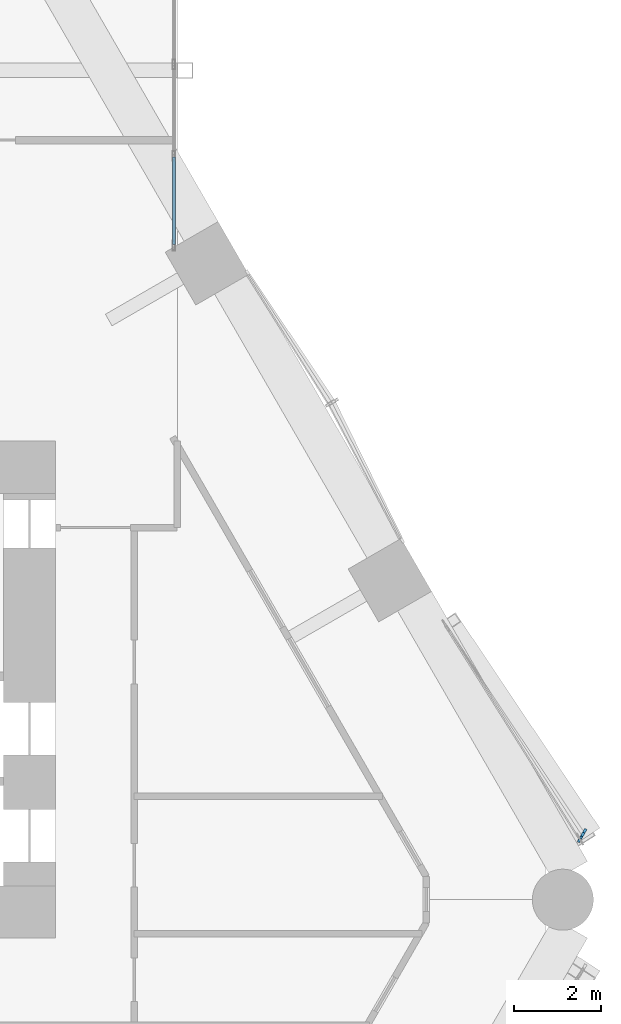
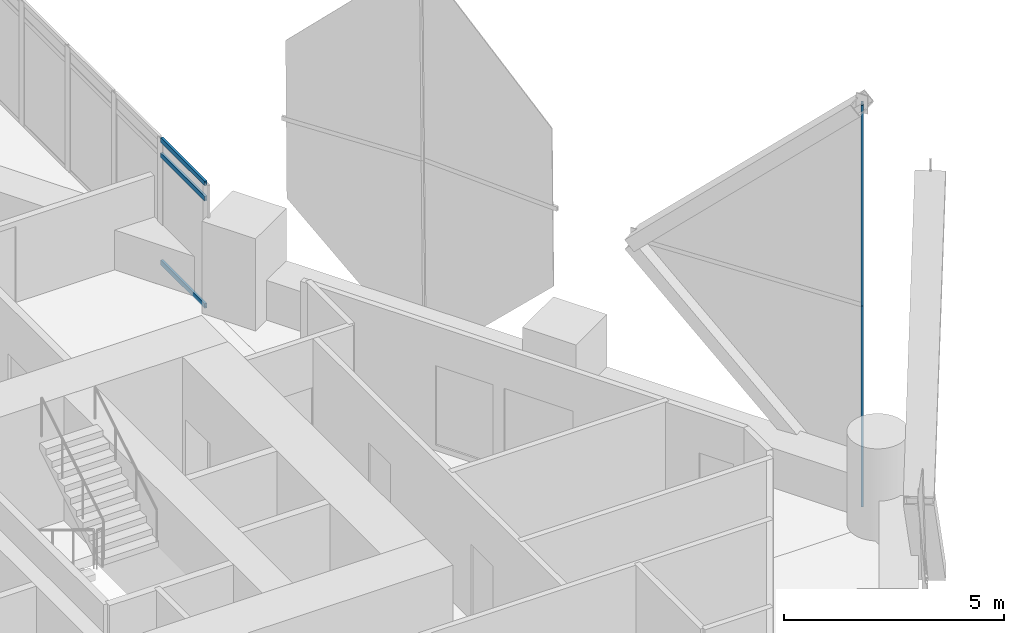
# One storey, part 21 of 35: 5 members, 2 elements without a shape of their own.
"""IFC4 building model written with IfcOpenShell, lengths in metres."""

import ifcopenshell
import ifcopenshell.guid

model = None  # the IFC model being written
_history = None  # IfcOwnerHistory: only IFC2X3 demands one
_inside = {}  # id of a spatial element -> (the spatial element, [elements in it])
_under = {}  # id of a project, library or spatial element -> (it, [spatial elements below it])
_declared = {}  # id of a project -> (the project, [libraries it declares])
_typed = {}  # id of a type object -> (the type object, [elements of that type])
_made_of = {}  # id of a material, layer set ... -> (it, [elements and type objects made of it])


def new_model(schema):
    """Start an empty IFC model of exactly this schema.

    Asked for "IFC4X3", IfcOpenShell would pick the latest addendum, in which some entities
    have other attributes; the version numbers below select the first issue.
    IFC2X3 requires an IfcOwnerHistory on every rooted entity: one is made here for all.
    """
    global model, _history
    if schema == "IFC4X3":
        model = ifcopenshell.file(schema_version=(4, 3, 0, 0))
    else:
        model = ifcopenshell.file(schema=schema)
    _inside.clear()
    _under.clear()
    _declared.clear()
    _typed.clear()
    _made_of.clear()
    _history = None
    if model.schema == "IFC2X3":
        org = make("IfcOrganization", Name="unknown")
        user = make(
            "IfcPersonAndOrganization",
            ThePerson=make("IfcPerson", FamilyName="unknown"),
            TheOrganization=org,
        )
        app = make(
            "IfcApplication",
            ApplicationDeveloper=org,
            Version="unknown",
            ApplicationFullName="unknown",
            ApplicationIdentifier="unknown",
        )
        _history = make(
            "IfcOwnerHistory",
            OwningUser=user,
            OwningApplication=app,
            ChangeAction="ADDED",
            CreationDate=0,
        )
    return model


def make(cls, **values):
    """One entity of the class cls with the attributes given. An attribute that is None is left unset."""
    return model.create_entity(
        cls, **{name: value for name, value in values.items() if value is not None}
    )


def rooted(cls, **values):
    """An entity with a GlobalId (a new one), such as an element, a storey or a relation."""
    return make(cls, GlobalId=ifcopenshell.guid.new(), OwnerHistory=_history, **values)


def si_unit(unit_type, name, prefix=None):
    """IfcSIUnit, for example si_unit("LENGTHUNIT", "METRE", prefix="MILLI")."""
    return make("IfcSIUnit", UnitType=unit_type, Prefix=prefix, Name=name)


def assignment(units):
    """IfcUnitAssignment: the units of a project."""
    return None if units is None else make("IfcUnitAssignment", Units=units)


def point(xyz):
    """IfcCartesianPoint."""
    return None if xyz is None else make("IfcCartesianPoint", Coordinates=xyz)


def direction(xyz):
    """IfcDirection."""
    return None if xyz is None else make("IfcDirection", DirectionRatios=xyz)


def frame(location, z_axis=None, x_axis=None):
    """IfcAxis2Placement3D, a coordinate frame: its origin and axes. An axis left out is left unset."""
    return make(
        "IfcAxis2Placement3D",
        Location=point(location),
        Axis=direction(z_axis),
        RefDirection=direction(x_axis),
    )


def frame_2d(location, x_axis=None):
    """IfcAxis2Placement2D, a coordinate frame in the plane: its origin and x axis."""
    return make(
        "IfcAxis2Placement2D", Location=point(location), RefDirection=direction(x_axis)
    )


def origin():
    """The frame at (0, 0, 0) with its axes left unset."""
    return frame((0.0, 0.0, 0.0))


def origin_2d():
    """The frame at (0, 0) in the plane with its x axis left unset."""
    return frame_2d((0.0, 0.0))


def place(relative_to, where):
    """IfcLocalPlacement: puts the frame where relative to a parent placement (None: the world)."""
    return make(
        "IfcLocalPlacement", PlacementRelTo=relative_to, RelativePlacement=where
    )


def context(
    kind, dimensions, precision=None, world=None, true_north=None, identifier=None
):
    """IfcGeometricRepresentationContext, for example the 3D "Model" context."""
    return make(
        "IfcGeometricRepresentationContext",
        ContextIdentifier=identifier,
        ContextType=kind,
        CoordinateSpaceDimension=dimensions,
        Precision=precision,
        WorldCoordinateSystem=world,
        TrueNorth=true_north,
    )


def subcontext(parent, identifier, kind, view, scale=None):
    """IfcGeometricRepresentationSubContext, for example "Body" below "Model"."""
    return make(
        "IfcGeometricRepresentationSubContext",
        ContextIdentifier=identifier,
        ContextType=kind,
        ParentContext=parent,
        TargetScale=scale,
        TargetView=view,
    )


def project(units=None, contexts=None):
    """IfcProject with its units and contexts."""
    return rooted(
        "IfcProject",
        Name="project",
        RepresentationContexts=contexts,
        UnitsInContext=assignment(units),
    )


def spatial(cls, under=None, at=None, **own):
    """A site, building, storey or space (cls), placed at a placement, below another one or the project."""
    s = rooted(cls, ObjectPlacement=at, **own)
    if under is not None:
        _under.setdefault(under.id(), (under, []))[1].append(s)
    return s


def profile(cls, at=None, kind="AREA", **sizes):
    """A parametric profile (cls). Its sizes go by their IFC names, for example OverallWidth=200.0."""
    return make(cls, ProfileType=kind, Position=at, **sizes)


def hollow_rectangle(**sizes):
    """IfcRectangleHollowProfileDef."""
    return profile("IfcRectangleHollowProfileDef", **sizes)


def extrude(swept, where, along, depth):
    """IfcExtrudedAreaSolid: the profile swept, set in the frame where, extruded along a direction by depth."""
    return make(
        "IfcExtrudedAreaSolid",
        SweptArea=swept,
        Position=where,
        ExtrudedDirection=direction(along),
        Depth=depth,
    )


def shape(context_of_items, identifier, shape_type, items):
    """IfcShapeRepresentation: the items that make up one representation, for example the "Body"."""
    return make(
        "IfcShapeRepresentation",
        ContextOfItems=context_of_items,
        RepresentationIdentifier=identifier,
        RepresentationType=shape_type,
        Items=items,
    )


def material(Name=None, Category=None):
    """IfcMaterial."""
    return make("IfcMaterial", Name=Name, Category=Category)


def material_profile(
    of_material, cross_section, Name=None, Category=None, Priority=None
):
    """IfcMaterialProfile: a cross section and its material."""
    return make(
        "IfcMaterialProfile",
        Name=Name,
        Material=of_material,
        Profile=cross_section,
        Priority=Priority,
        Category=Category,
    )


def profile_set(profiles, Name=None, composite=None):
    """IfcMaterialProfileSet."""
    return make(
        "IfcMaterialProfileSet",
        Name=Name,
        MaterialProfiles=profiles,
        CompositeProfile=composite,
    )


def made_of(thing, what):
    """Note that an element or type object is made of a material, layer set ...; save() writes the relation."""
    if what is not None:
        _made_of.setdefault(what.id(), (what, []))[1].append(thing)
    return thing


def type_object(cls, material=None, **own):
    """A type object (cls), such as IfcWallType, which elements share."""
    return made_of(rooted(cls, **own), material)


def element(
    cls,
    number,
    at=None,
    inside=None,
    cuts=None,
    type_object=None,
    material=None,
    context=None,
    identifier="Body",
    shape_type=None,
    held_by="IfcProductDefinitionShape",
    body=None,
    shapes=None,
    **own,
):
    """One element of the class cls, such as IfcWall. Its Tag is "e" and its number.

    at: its placement. inside: the storey or other place that contains it. cuts: it is an
    opening in that element (IfcRelVoidsElement). A single representation is given by context,
    identifier, shape_type and body (its items); several are given by shapes. held_by: the class
    of the entity that holds the representations. save() writes the other relations.
    """
    e = rooted(cls, Tag="e%d" % number, ObjectPlacement=at, **own)
    if body is not None:
        shapes = [shape(context, identifier, shape_type, body)]
    if shapes is not None:
        e.Representation = make(held_by, Representations=shapes)
    if inside is not None:
        _inside.setdefault(inside.id(), (inside, []))[1].append(e)
    if cuts is not None:
        rooted(
            "IfcRelVoidsElement", RelatingBuildingElement=cuts, RelatedOpeningElement=e
        )
    if type_object is not None:
        _typed.setdefault(type_object.id(), (type_object, []))[1].append(e)
    return made_of(e, material)


def aggregate(whole, parts):
    """IfcRelAggregates: a whole, such as a stair, and the parts it consists of."""
    return rooted("IfcRelAggregates", RelatingObject=whole, RelatedObjects=parts)


def save(model, path):
    """Write the relations noted so far, then the file.

    IfcRelAggregates (storeys below a building ...), IfcRelContainedInSpatialStructure (elements
    in a storey), IfcRelDefinesByType, IfcRelAssociatesMaterial and IfcRelDeclares: one each for
    every whole, place, type object, material and project.
    """
    for whole, parts in _under.values():
        aggregate(whole, parts)
    for where, things in _inside.values():
        rooted(
            "IfcRelContainedInSpatialStructure",
            RelatedElements=things,
            RelatingStructure=where,
        )
    for kind, things in _typed.values():
        rooted("IfcRelDefinesByType", RelatedObjects=things, RelatingType=kind)
    for what, things in _made_of.values():
        rooted("IfcRelAssociatesMaterial", RelatedObjects=things, RelatingMaterial=what)
    for by, libraries in _declared.values():
        rooted("IfcRelDeclares", RelatingContext=by, RelatedDefinitions=libraries)
    model.write(path)


model = new_model("IFC4")

# Units and contexts
model_context = context("Model", 3, precision=1e-05, world=origin(), true_north=direction((0.0, 1.0)))
body_context = subcontext(model_context, "Body", "Model", "MODEL_VIEW")
ifc_project = project(units=[si_unit("LENGTHUNIT", "METRE"), si_unit("AREAUNIT", "SQUARE_METRE"), si_unit("VOLUMEUNIT", "CUBIC_METRE"), si_unit("PLANEANGLEUNIT", "RADIAN"), si_unit("MASSUNIT", "GRAM", prefix="KILO")], contexts=[model_context])

# Site, building, storey
site_placement = place(None, origin())
site = spatial("IfcSite", under=ifc_project, at=site_placement, CompositionType="ELEMENT")
building_placement = place(site_placement, origin())
building = spatial("IfcBuilding", under=site, at=building_placement, Name="Ostrander Bayou Hotel Tower", CompositionType="ELEMENT")
storey_placement = place(building_placement, frame((0.0, 0.0, 69.25)))
storey = spatial("IfcBuildingStorey", under=building, at=storey_placement, Name="L17", CompositionType="ELEMENT", Elevation=69.25)

# Curtain wall, members
ifc_material_1 = material(Name="Aluminium and clear glass", Category="aluminium")
curtain_wall_type_1 = type_object("IfcCurtainWallType", Name="CW-BAR glazed wall", PredefinedType="NOTDEFINED", material=ifc_material_1)
curtain_wall_1_placement = place(storey_placement, origin())
curtain_wall_1 = element("IfcCurtainWall", 1, at=curtain_wall_1_placement, inside=storey, type_object=curtain_wall_type_1, Name="CW-BAR L17:SB1N:W", PredefinedType="NOTDEFINED")
ifc_material_2 = material(Name="Aluminium", Category="aluminium")
ifc_material_profile_1 = material_profile(ifc_material_2, hollow_rectangle(XDim=0.06005859375, YDim=0.1298828125, WallThickness=0.00390625, at=origin_2d()))
ifc_profile_set_1 = profile_set([ifc_material_profile_1], Name="Aluminium")
member_type_1 = type_object("IfcMemberType", Name="CW-BR transom 60 x 130 mm", PredefinedType="USERDEFINED", material=ifc_profile_set_1)
member_1_placement = place(storey_placement, frame((14.712158203125, 14.206787109375, 0.030029296875), z_axis=(0.0, 1.0, 0.0), x_axis=(-1.0, 0.0, 0.0)))
member_1 = element("IfcMember", 2, at=member_1_placement, type_object=member_type_1, Name="CW-BAR transom 1.1", ObjectType="TRANSOM", PredefinedType="USERDEFINED", context=body_context, shape_type="SweptSolid", body=[
    extrude(hollow_rectangle(XDim=0.06005859375, YDim=0.1298828125, WallThickness=0.00390625, at=origin_2d()), origin(), (0.0, 0.0, 1.0), 2.00244140625),
])
member_2_placement = place(storey_placement, frame((14.712158203125, 14.206787109375, 3.0), z_axis=(0.0, 1.0, 0.0), x_axis=(-1.0, 0.0, 0.0)))
member_2 = element("IfcMember", 3, at=member_2_placement, type_object=member_type_1, Name="CW-BAR transom 1.2", ObjectType="TRANSOM", PredefinedType="USERDEFINED", context=body_context, shape_type="SweptSolid", body=[
    extrude(hollow_rectangle(XDim=0.06005859375, YDim=0.1298828125, WallThickness=0.00390625, at=origin_2d()), origin(), (0.0, 0.0, 1.0), 2.00244140625),
])
member_3_placement = place(storey_placement, frame((14.712158203125, 14.206787109375, 3.419921875), z_axis=(0.0, 1.0, 0.0), x_axis=(-1.0, 0.0, 0.0)))
member_3 = element("IfcMember", 4, at=member_3_placement, type_object=member_type_1, Name="CW-BAR transom 1.3", ObjectType="TRANSOM", PredefinedType="USERDEFINED", context=body_context, shape_type="SweptSolid", body=[
    extrude(hollow_rectangle(XDim=0.06005859375, YDim=0.1298828125, WallThickness=0.00390625, at=origin_2d()), origin(), (0.0, 0.0, 1.0), 2.00244140625),
])
aggregate(curtain_wall_1, [member_1, member_2, member_3])

ifc_material_3 = material(Name="Aluminium and clear glass", Category="aluminium")
curtain_wall_type_2 = type_object("IfcCurtainWallType", Name="CW-LAT lattice glazing", PredefinedType="NOTDEFINED", material=ifc_material_3)
curtain_wall_2_placement = place(storey_placement, origin())
curtain_wall_2 = element("IfcCurtainWall", 5, at=curtain_wall_2_placement, inside=storey, type_object=curtain_wall_type_2, Name="CW-LAT L17 NE 1", PredefinedType="NOTDEFINED")
ifc_material_4 = material(Name="Aluminium", Category="aluminium")
ifc_material_profile_2 = material_profile(ifc_material_4, hollow_rectangle(XDim=0.06005859375, YDim=0.159912109375, WallThickness=0.00390625, at=origin_2d()))
ifc_profile_set_2 = profile_set([ifc_material_profile_2], Name="Aluminium")
member_type_2 = type_object("IfcMemberType", Name="CW-LA mullion 60 x 160 mm", PredefinedType="MULLION", material=ifc_profile_set_2)
member_4_placement = place(storey_placement, frame((24.1162109375, 0.7333984375, -0.60009765625), z_axis=(-0.008418945283, -0.014581266058, 0.999858243973), x_axis=(0.866013897511, -0.50001992892, 0.0)))
member_4 = element("IfcMember", 6, at=member_4_placement, type_object=member_type_2, Name="CW-LAT mullion 1", PredefinedType="MULLION", context=body_context, shape_type="SweptSolid", body=[
    extrude(hollow_rectangle(XDim=0.06005859375, YDim=0.159912109375, WallThickness=0.00390625, at=origin_2d()), origin(), (0.0, 0.0, 1.0), 5.625732421875),
])
member_5_placement = place(storey_placement, frame((24.06884765625, 0.6513671875, 5.02490234375), z_axis=(-0.008418950603, -0.014537878618, 0.99985887572), x_axis=(0.865367327112, -0.50113809391, 0.0)))
member_5 = element("IfcMember", 7, at=member_5_placement, type_object=member_type_2, Name="CW-LAT mullion 2", PredefinedType="MULLION", context=body_context, shape_type="SweptSolid", body=[
    extrude(hollow_rectangle(XDim=0.06005859375, YDim=0.159912109375, WallThickness=0.00390625, at=origin_2d()), origin(), (0.0, 0.0, 1.0), 5.625732421875),
])
aggregate(curtain_wall_2, [member_4, member_5])

save(model, "model.ifc")
